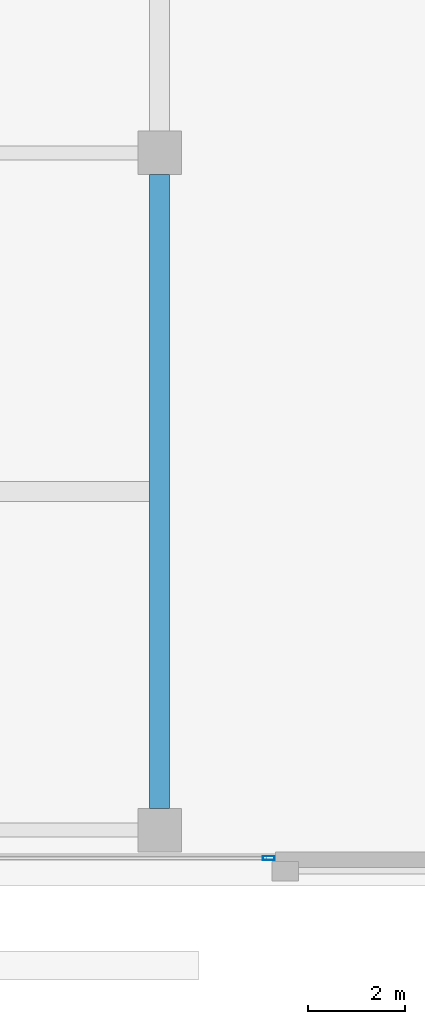
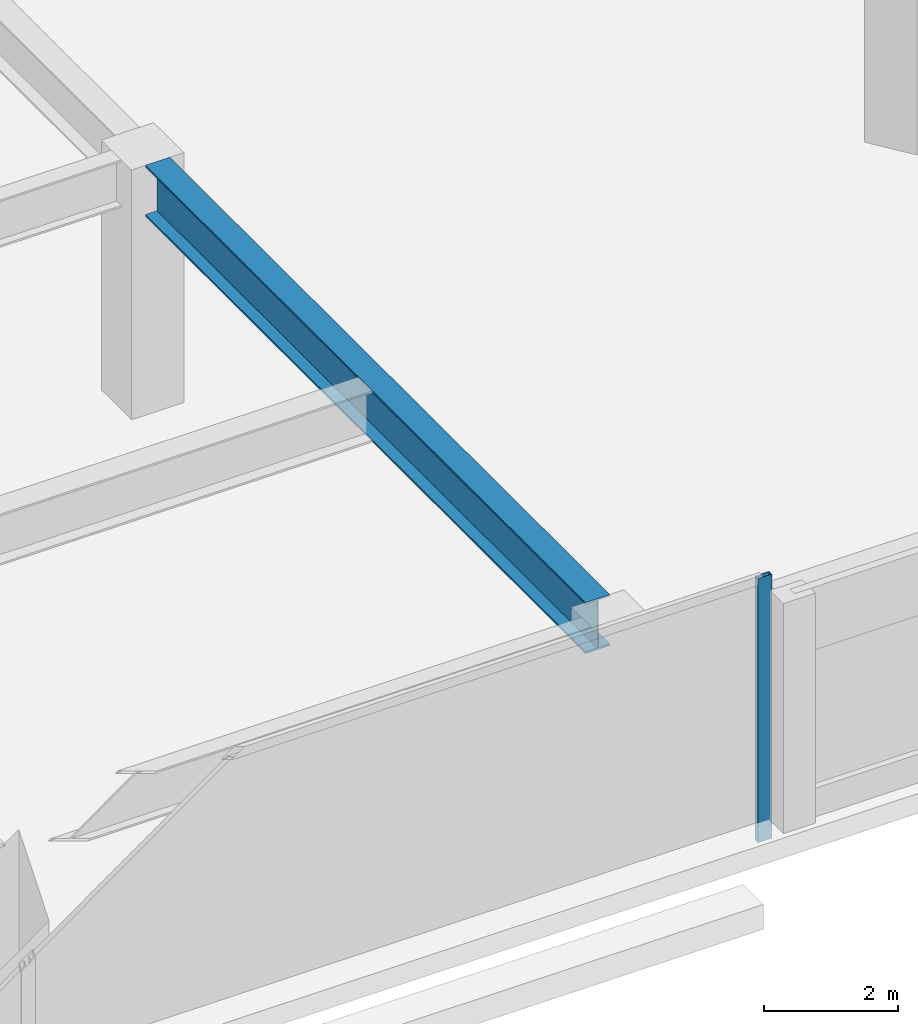
# One storey, part 16 of 44: 1 beam, 1 member, 1 element without a shape of its own.
"""IFC4 building model written with IfcOpenShell, lengths in metres."""

from ifc_helpers import new_model, si_unit, direction, frame, origin, origin_2d, place, context, subcontext, project, spatial, hollow_rectangle, i_section, extrude, material, material_profile, profile_set, type_object, element, aggregate, save


model = new_model("IFC4")

# Units and contexts
model_context = context("Model", 3, precision=1e-05, world=origin(), true_north=direction((0.0, 1.0)))
body_context = subcontext(model_context, "Body", "Model", "MODEL_VIEW")
ifc_project = project(units=[si_unit("LENGTHUNIT", "METRE"), si_unit("AREAUNIT", "SQUARE_METRE"), si_unit("VOLUMEUNIT", "CUBIC_METRE"), si_unit("PLANEANGLEUNIT", "RADIAN"), si_unit("MASSUNIT", "GRAM", prefix="KILO")], contexts=[model_context])

# Site, building, storey
site_placement = place(None, origin())
site = spatial("IfcSite", under=ifc_project, at=site_placement, CompositionType="ELEMENT")
building_placement = place(site_placement, origin())
building = spatial("IfcBuilding", under=site, at=building_placement, Name="Tashvorn Skyway Center", CompositionType="ELEMENT")
storey_placement = place(building_placement, frame((0.0, 0.0, 5.39990234375)))
storey = spatial("IfcBuildingStorey", under=building, at=storey_placement, Name="L01", CompositionType="ELEMENT", Elevation=5.39990234375)

# Beam
ifc_material_1 = material(Name="Steel ASTM A913 Grade 65", Category="steel")
ifc_material_profile_1 = material_profile(ifc_material_1, i_section(OverallWidth=0.4189453125, OverallDepth=0.927001953125, WebThickness=0.019287109375, FlangeThickness=0.031982421875, at=origin_2d()), Name="W36X231")
ifc_profile_set_1 = profile_set([ifc_material_profile_1], Name="Steel ASTM A913 Grade 65")
beam_type = type_object("IfcBeamType", Name="BM-BEAM-W36X231", PredefinedType="BEAM", material=ifc_profile_set_1)
beam_placement = place(storey_placement, frame((87.199951171875, 1.2451171875, 4.07666015625), z_axis=(0.0, 1.0, 0.0), x_axis=(-1.0, 0.0, 0.0)))
element("IfcBeam", 1, at=beam_placement, inside=storey, type_object=beam_type, Name="L01 North-South Podium Girder 05-S", PredefinedType="BEAM", context=body_context, shape_type="SweptSolid", body=[
    extrude(i_section(OverallWidth=0.4189453125, OverallDepth=0.927001953125, WebThickness=0.019287109375, FlangeThickness=0.031982421875, at=origin_2d()), origin(), (0.0, 0.0, 1.0), 13.10986328125),
])

# Curtain wall, member
ifc_material_2 = material(Name="Thermally broken bronze-anodized aluminium 6063-T6", Category="aluminium")
curtain_wall_type = type_object("IfcCurtainWallType", Name="CW-CW-Z1", PredefinedType="NOTDEFINED", material=ifc_material_2)
curtain_wall_placement = place(storey_placement, origin())
curtain_wall = element("IfcCurtainWall", 2, at=curtain_wall_placement, inside=storey, type_object=curtain_wall_type, Name="L01 South Station Arcade Curtain Wall 2", PredefinedType="NOTDEFINED")
ifc_material_profile_2 = material_profile(ifc_material_2, hollow_rectangle(XDim=0.0849609375, YDim=0.239990234375, WallThickness=0.0048828125, at=origin_2d()), Name="ALU-MULL-85x240")
ifc_profile_set_2 = profile_set([ifc_material_profile_2], Name="Thermally broken bronze-anodized aluminium 6063-T6")
member_type = type_object("IfcMemberType", Name="CWM-CW-Z1", PredefinedType="MULLION", material=ifc_profile_set_2)
member_placement = place(storey_placement, frame((89.45751953125, 0.219970703125, 0.0), z_axis=(0.0, 0.0, 1.0), x_axis=(0.0, -1.0, 0.0)))
member = element("IfcMember", 3, at=member_placement, type_object=member_type, Name="CW-Z1 mullion 1", PredefinedType="MULLION", context=body_context, shape_type="SweptSolid", body=[
    extrude(hollow_rectangle(XDim=0.0849609375, YDim=0.239990234375, WallThickness=0.0048828125, at=origin_2d()), origin(), (0.0, 0.0, 1.0), 4.800048828125),
])
aggregate(curtain_wall, [member])

save(model, "model.ifc")
